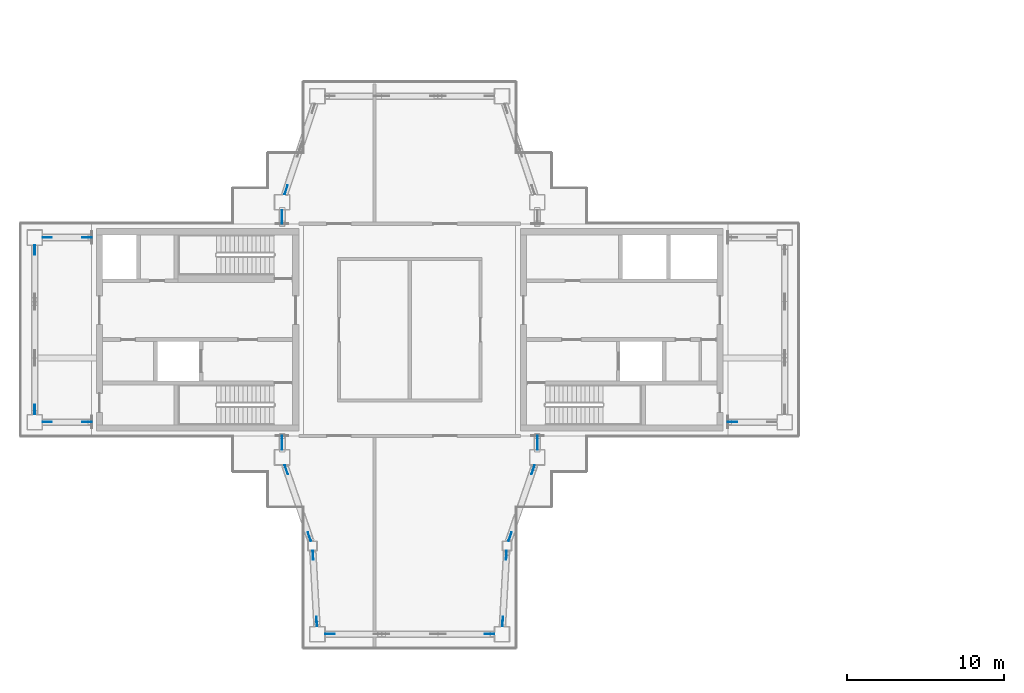
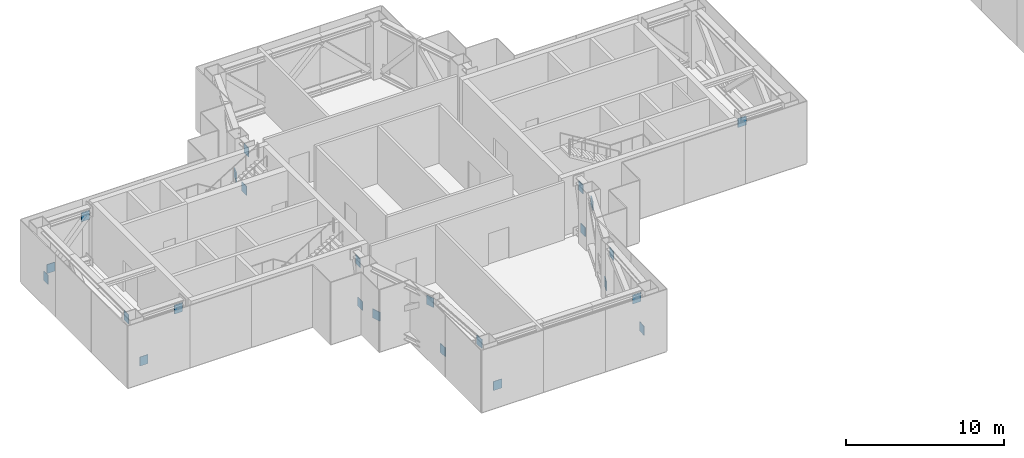
# One storey, part 13 of 18: 24 discrete accessories.
"""IFC4 building model written with IfcOpenShell, lengths in metres."""

import ifcopenshell
import ifcopenshell.guid

model = None  # the IFC model being written
_history = None  # IfcOwnerHistory: only IFC2X3 demands one
_inside = {}  # id of a spatial element -> (the spatial element, [elements in it])
_under = {}  # id of a project, library or spatial element -> (it, [spatial elements below it])
_declared = {}  # id of a project -> (the project, [libraries it declares])
_typed = {}  # id of a type object -> (the type object, [elements of that type])
_made_of = {}  # id of a material, layer set ... -> (it, [elements and type objects made of it])


def new_model(schema):
    """Start an empty IFC model of exactly this schema.

    Asked for "IFC4X3", IfcOpenShell would pick the latest addendum, in which some entities
    have other attributes; the version numbers below select the first issue.
    IFC2X3 requires an IfcOwnerHistory on every rooted entity: one is made here for all.
    """
    global model, _history
    if schema == "IFC4X3":
        model = ifcopenshell.file(schema_version=(4, 3, 0, 0))
    else:
        model = ifcopenshell.file(schema=schema)
    _inside.clear()
    _under.clear()
    _declared.clear()
    _typed.clear()
    _made_of.clear()
    _history = None
    if model.schema == "IFC2X3":
        org = make("IfcOrganization", Name="unknown")
        user = make(
            "IfcPersonAndOrganization",
            ThePerson=make("IfcPerson", FamilyName="unknown"),
            TheOrganization=org,
        )
        app = make(
            "IfcApplication",
            ApplicationDeveloper=org,
            Version="unknown",
            ApplicationFullName="unknown",
            ApplicationIdentifier="unknown",
        )
        _history = make(
            "IfcOwnerHistory",
            OwningUser=user,
            OwningApplication=app,
            ChangeAction="ADDED",
            CreationDate=0,
        )
    return model


def make(cls, **values):
    """One entity of the class cls with the attributes given. An attribute that is None is left unset."""
    return model.create_entity(
        cls, **{name: value for name, value in values.items() if value is not None}
    )


def rooted(cls, **values):
    """An entity with a GlobalId (a new one), such as an element, a storey or a relation."""
    return make(cls, GlobalId=ifcopenshell.guid.new(), OwnerHistory=_history, **values)


def si_unit(unit_type, name, prefix=None):
    """IfcSIUnit, for example si_unit("LENGTHUNIT", "METRE", prefix="MILLI")."""
    return make("IfcSIUnit", UnitType=unit_type, Prefix=prefix, Name=name)


def assignment(units):
    """IfcUnitAssignment: the units of a project."""
    return None if units is None else make("IfcUnitAssignment", Units=units)


def point(xyz):
    """IfcCartesianPoint."""
    return None if xyz is None else make("IfcCartesianPoint", Coordinates=xyz)


def direction(xyz):
    """IfcDirection."""
    return None if xyz is None else make("IfcDirection", DirectionRatios=xyz)


def frame(location, z_axis=None, x_axis=None):
    """IfcAxis2Placement3D, a coordinate frame: its origin and axes. An axis left out is left unset."""
    return make(
        "IfcAxis2Placement3D",
        Location=point(location),
        Axis=direction(z_axis),
        RefDirection=direction(x_axis),
    )


def frame_2d(location, x_axis=None):
    """IfcAxis2Placement2D, a coordinate frame in the plane: its origin and x axis."""
    return make(
        "IfcAxis2Placement2D", Location=point(location), RefDirection=direction(x_axis)
    )


def origin():
    """The frame at (0, 0, 0) with its axes left unset."""
    return frame((0.0, 0.0, 0.0))


def origin_2d():
    """The frame at (0, 0) in the plane with its x axis left unset."""
    return frame_2d((0.0, 0.0))


def place(relative_to, where):
    """IfcLocalPlacement: puts the frame where relative to a parent placement (None: the world)."""
    return make(
        "IfcLocalPlacement", PlacementRelTo=relative_to, RelativePlacement=where
    )


def context(
    kind, dimensions, precision=None, world=None, true_north=None, identifier=None
):
    """IfcGeometricRepresentationContext, for example the 3D "Model" context."""
    return make(
        "IfcGeometricRepresentationContext",
        ContextIdentifier=identifier,
        ContextType=kind,
        CoordinateSpaceDimension=dimensions,
        Precision=precision,
        WorldCoordinateSystem=world,
        TrueNorth=true_north,
    )


def subcontext(parent, identifier, kind, view, scale=None):
    """IfcGeometricRepresentationSubContext, for example "Body" below "Model"."""
    return make(
        "IfcGeometricRepresentationSubContext",
        ContextIdentifier=identifier,
        ContextType=kind,
        ParentContext=parent,
        TargetScale=scale,
        TargetView=view,
    )


def project(units=None, contexts=None):
    """IfcProject with its units and contexts."""
    return rooted(
        "IfcProject",
        Name="project",
        RepresentationContexts=contexts,
        UnitsInContext=assignment(units),
    )


def spatial(cls, under=None, at=None, **own):
    """A site, building, storey or space (cls), placed at a placement, below another one or the project."""
    s = rooted(cls, ObjectPlacement=at, **own)
    if under is not None:
        _under.setdefault(under.id(), (under, []))[1].append(s)
    return s


def profile(cls, at=None, kind="AREA", **sizes):
    """A parametric profile (cls). Its sizes go by their IFC names, for example OverallWidth=200.0."""
    return make(cls, ProfileType=kind, Position=at, **sizes)


def rectangle(**sizes):
    """IfcRectangleProfileDef."""
    return profile("IfcRectangleProfileDef", **sizes)


def extrude(swept, where, along, depth):
    """IfcExtrudedAreaSolid: the profile swept, set in the frame where, extruded along a direction by depth."""
    return make(
        "IfcExtrudedAreaSolid",
        SweptArea=swept,
        Position=where,
        ExtrudedDirection=direction(along),
        Depth=depth,
    )


def shape(context_of_items, identifier, shape_type, items):
    """IfcShapeRepresentation: the items that make up one representation, for example the "Body"."""
    return make(
        "IfcShapeRepresentation",
        ContextOfItems=context_of_items,
        RepresentationIdentifier=identifier,
        RepresentationType=shape_type,
        Items=items,
    )


def material(Name=None, Category=None):
    """IfcMaterial."""
    return make("IfcMaterial", Name=Name, Category=Category)


def layer(
    of_material, thickness, ventilated=None, Name=None, Category=None, Priority=None
):
    """IfcMaterialLayer: one layer of a wall or slab, of a material (None: an air gap)."""
    return make(
        "IfcMaterialLayer",
        Material=of_material,
        LayerThickness=thickness,
        IsVentilated=ventilated,
        Name=Name,
        Category=Category,
        Priority=Priority,
    )


def layer_set(layers, Name=None):
    """IfcMaterialLayerSet."""
    return make("IfcMaterialLayerSet", MaterialLayers=layers, LayerSetName=Name)


def made_of(thing, what):
    """Note that an element or type object is made of a material, layer set ...; save() writes the relation."""
    if what is not None:
        _made_of.setdefault(what.id(), (what, []))[1].append(thing)
    return thing


def type_object(cls, material=None, **own):
    """A type object (cls), such as IfcWallType, which elements share."""
    return made_of(rooted(cls, **own), material)


def element(
    cls,
    number,
    at=None,
    inside=None,
    cuts=None,
    type_object=None,
    material=None,
    context=None,
    identifier="Body",
    shape_type=None,
    held_by="IfcProductDefinitionShape",
    body=None,
    shapes=None,
    **own,
):
    """One element of the class cls, such as IfcWall. Its Tag is "e" and its number.

    at: its placement. inside: the storey or other place that contains it. cuts: it is an
    opening in that element (IfcRelVoidsElement). A single representation is given by context,
    identifier, shape_type and body (its items); several are given by shapes. held_by: the class
    of the entity that holds the representations. save() writes the other relations.
    """
    e = rooted(cls, Tag="e%d" % number, ObjectPlacement=at, **own)
    if body is not None:
        shapes = [shape(context, identifier, shape_type, body)]
    if shapes is not None:
        e.Representation = make(held_by, Representations=shapes)
    if inside is not None:
        _inside.setdefault(inside.id(), (inside, []))[1].append(e)
    if cuts is not None:
        rooted(
            "IfcRelVoidsElement", RelatingBuildingElement=cuts, RelatedOpeningElement=e
        )
    if type_object is not None:
        _typed.setdefault(type_object.id(), (type_object, []))[1].append(e)
    return made_of(e, material)


def aggregate(whole, parts):
    """IfcRelAggregates: a whole, such as a stair, and the parts it consists of."""
    return rooted("IfcRelAggregates", RelatingObject=whole, RelatedObjects=parts)


def save(model, path):
    """Write the relations noted so far, then the file.

    IfcRelAggregates (storeys below a building ...), IfcRelContainedInSpatialStructure (elements
    in a storey), IfcRelDefinesByType, IfcRelAssociatesMaterial and IfcRelDeclares: one each for
    every whole, place, type object, material and project.
    """
    for whole, parts in _under.values():
        aggregate(whole, parts)
    for where, things in _inside.values():
        rooted(
            "IfcRelContainedInSpatialStructure",
            RelatedElements=things,
            RelatingStructure=where,
        )
    for kind, things in _typed.values():
        rooted("IfcRelDefinesByType", RelatedObjects=things, RelatingType=kind)
    for what, things in _made_of.values():
        rooted("IfcRelAssociatesMaterial", RelatedObjects=things, RelatingMaterial=what)
    for by, libraries in _declared.values():
        rooted("IfcRelDeclares", RelatingContext=by, RelatedDefinitions=libraries)
    model.write(path)


model = new_model("IFC4")

# Units and contexts
model_context = context("Model", 3, precision=1e-05, world=origin(), true_north=direction((0.0, 1.0)))
body_context = subcontext(model_context, "Body", "Model", "MODEL_VIEW")
ifc_project = project(units=[si_unit("LENGTHUNIT", "METRE"), si_unit("AREAUNIT", "SQUARE_METRE"), si_unit("VOLUMEUNIT", "CUBIC_METRE"), si_unit("PLANEANGLEUNIT", "RADIAN"), si_unit("MASSUNIT", "GRAM", prefix="KILO")], contexts=[model_context])

# Site, building, storey
site_placement = place(None, origin())
site = spatial("IfcSite", under=ifc_project, at=site_placement, CompositionType="ELEMENT")
building_placement = place(site_placement, origin())
building = spatial("IfcBuilding", under=site, at=building_placement, Name="Shamsa Quay Exchange Towers", CompositionType="ELEMENT")
storey_placement = place(building_placement, frame((0.0, 0.0, 225.60009765625)))
storey = spatial("IfcBuildingStorey", under=building, at=storey_placement, Name="L54", CompositionType="ELEMENT", Elevation=225.60009765625)

# Discrete accessories
ifc_material = material(Name="Steel S355", Category="steel")
ifc_layer = layer(ifc_material, 0.0400390625)
ifc_layer_set = layer_set([ifc_layer], Name="End plate 600x700x40")
discrete_accessory_type = type_object("IfcDiscreteAccessoryType", Name="End plate 600x700x40", PredefinedType="BRACKET", material=ifc_layer_set)
for number, where, name in (
    (1, (-56.824951171875, -5.875, 0.31494140625), "End plate T1 L54"),
    (2, (-54.300048828125, -5.875, 3.43505859375), "End plate T1 L54"),
):
    element("IfcDiscreteAccessory", number, at=place(storey_placement, frame(where)), inside=storey, type_object=discrete_accessory_type, Name=name, PredefinedType="BRACKET", context=body_context, shape_type="SweptSolid", body=[
        extrude(rectangle(XDim=0.60009765625, YDim=0.0400390625, at=origin_2d()), origin(), (0.0, 0.0, 1.0), 0.699951171875),
    ])
for number, where, z_axis, x_axis, name in (
    (3, (-41.875, -7.324951171875, 0.31494140625), (0.0, 0.0, 1.0), (0.0, 1.0, 0.0), "End plate T1 L54"),
    (4, (-41.875, -7.050048828125, 3.43505859375), (0.0, 0.0, 1.0), (0.0, 1.0, 0.0), "End plate T1 L54"),
    (5, (-41.60498046875, -8.90869140625, 0.31494140625), (0.0, 0.0, 1.0), (0.325666906351, -0.945484566827, 0.0), "End plate T1 L54"),
    (6, (-40.138427734375, -13.166259765625, 3.43505859375), (0.0, 0.0, 1.0), (0.325666906351, -0.945484566827, 0.0), "End plate T1 L54"),
    (7, (-39.904296875, -14.349609375, 0.31494140625), (0.0, 0.0, 1.0), (0.055470019625, -0.998460353205, 0.0), "End plate T1 L54"),
    (8, (-39.66943359375, -18.575439453125, 3.43505859375), (0.0, 0.0, 1.0), (0.055470019625, -0.998460353205, 0.0), "End plate T1 L54"),
):
    element("IfcDiscreteAccessory", number, at=place(storey_placement, frame(where, z_axis=z_axis, x_axis=x_axis)), inside=storey, type_object=discrete_accessory_type, Name=name, PredefinedType="BRACKET", context=body_context, shape_type="SweptSolid", body=[
        extrude(rectangle(XDim=0.60009765625, YDim=0.0400390625, at=origin_2d()), origin(), (0.0, 0.0, 1.0), 0.699951171875),
    ])
for number, where, name in (
    (9, (-38.824951171875, -19.375, 0.31494140625), "End plate T1 L54"),
    (10, (-28.675048828125, -19.375, 3.43505859375), "End plate T1 L54"),
):
    element("IfcDiscreteAccessory", number, at=place(storey_placement, frame(where)), inside=storey, type_object=discrete_accessory_type, Name=name, PredefinedType="BRACKET", context=body_context, shape_type="SweptSolid", body=[
        extrude(rectangle(XDim=0.60009765625, YDim=0.0400390625, at=origin_2d()), origin(), (0.0, 0.0, 1.0), 0.699951171875),
    ])
for number, where, z_axis, x_axis, name in (
    (11, (-27.83056640625, -18.575439453125, 0.31494140625), (0.0, 0.0, 1.0), (0.055470019625, 0.998460353205, 0.0), "End plate T1 L54"),
    (12, (-27.595703125, -14.349609375, 3.43505859375), (0.0, 0.0, 1.0), (0.055470019625, 0.998460353205, 0.0), "End plate T1 L54"),
    (13, (-27.361572265625, -13.166259765625, 0.31494140625), (0.0, 0.0, 1.0), (0.325666906351, 0.945484566827, 0.0), "End plate T1 L54"),
    (14, (-25.89501953125, -8.90869140625, 3.43505859375), (0.0, 0.0, 1.0), (0.325666906351, 0.945484566827, 0.0), "End plate T1 L54"),
    (15, (-25.625, -7.324951171875, 0.31494140625), (0.0, 0.0, 1.0), (0.0, 1.0, 0.0), "End plate T1 L54"),
    (16, (-25.625, -7.050048828125, 3.43505859375), (0.0, 0.0, 1.0), (0.0, 1.0, 0.0), "End plate T1 L54"),
    (17, (-13.199951171875, -5.875, 3.43505859375), (0.0, 0.0, 1.0), (-1.0, 0.0, 0.0), "End plate T1 L54"),
    (18, (-41.613525390625, 8.90966796875, 0.31494140625), (0.0, 0.0, 1.0), (-0.316227766018, -0.94868329805, 0.0), "End plate T1 L54"),
    (19, (-41.875, 7.324951171875, 0.31494140625), (0.0, 0.0, 1.0), (0.0, -1.0, 0.0), "End plate T1 L54"),
    (20, (-41.875, 7.050048828125, 3.43505859375), (0.0, 0.0, 1.0), (0.0, -1.0, 0.0), "End plate T1 L54"),
):
    element("IfcDiscreteAccessory", number, at=place(storey_placement, frame(where, z_axis=z_axis, x_axis=x_axis)), inside=storey, type_object=discrete_accessory_type, Name=name, PredefinedType="BRACKET", context=body_context, shape_type="SweptSolid", body=[
        extrude(rectangle(XDim=0.60009765625, YDim=0.0400390625, at=origin_2d()), origin(), (0.0, 0.0, 1.0), 0.699951171875),
    ])
for number, where, name in (
    (21, (-56.824951171875, 5.875, 0.31494140625), "End plate T1 L54"),
    (22, (-54.300048828125, 5.875, 3.43505859375), "End plate T1 L54"),
):
    element("IfcDiscreteAccessory", number, at=place(storey_placement, frame(where)), inside=storey, type_object=discrete_accessory_type, Name=name, PredefinedType="BRACKET", context=body_context, shape_type="SweptSolid", body=[
        extrude(rectangle(XDim=0.60009765625, YDim=0.0400390625, at=origin_2d()), origin(), (0.0, 0.0, 1.0), 0.699951171875),
    ])
for number, where, z_axis, x_axis, name in (
    (23, (-57.625, 5.074951171875, 0.31494140625), (0.0, 0.0, 1.0), (0.0, -1.0, 0.0), "End plate T1 L54"),
    (24, (-57.625, -5.074951171875, 3.43505859375), (0.0, 0.0, 1.0), (0.0, -1.0, 0.0), "End plate T1 L54"),
):
    element("IfcDiscreteAccessory", number, at=place(storey_placement, frame(where, z_axis=z_axis, x_axis=x_axis)), inside=storey, type_object=discrete_accessory_type, Name=name, PredefinedType="BRACKET", context=body_context, shape_type="SweptSolid", body=[
        extrude(rectangle(XDim=0.60009765625, YDim=0.0400390625, at=origin_2d()), origin(), (0.0, 0.0, 1.0), 0.699951171875),
    ])

save(model, "model.ifc")
